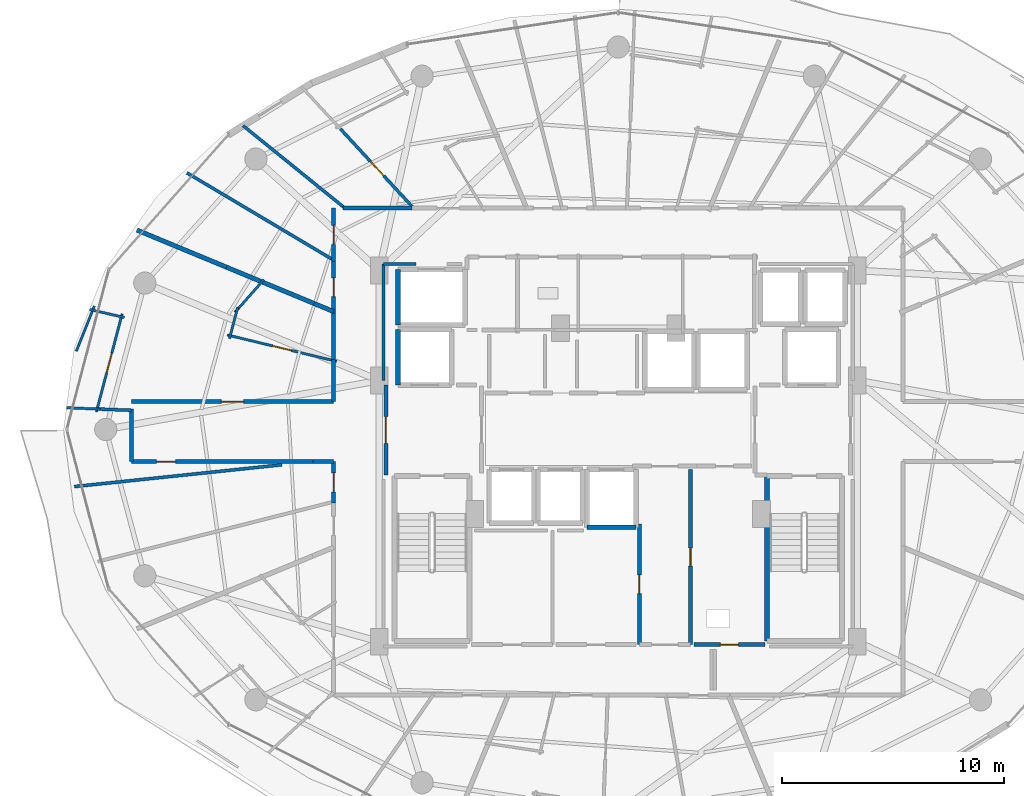
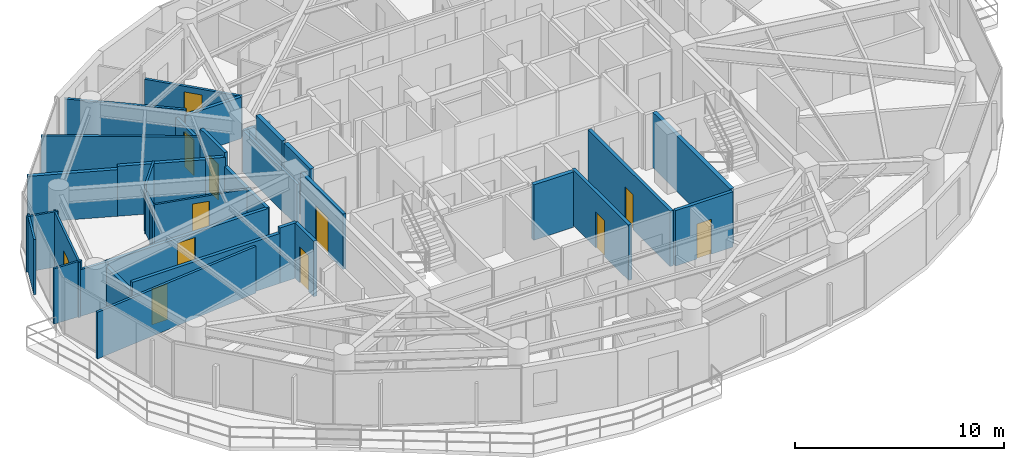
# One storey, part 21 of 28: 35 walls, 12 doors, 12 openings.
"""IFC4 building model written with IfcOpenShell, lengths in metres."""

from ifc_helpers import new_model, si_unit, direction, frame, frame_2d, origin, place, context, subcontext, project, spatial, rectangle, extrude, material, layer, layer_set, type_object, element, fill, save


model = new_model("IFC4")

# Units and contexts
model_context = context("Model", 3, precision=1e-05, world=origin(), true_north=direction((0.0, 1.0)))
body_context = subcontext(model_context, "Body", "Model", "MODEL_VIEW")
ifc_project = project(units=[si_unit("LENGTHUNIT", "METRE"), si_unit("AREAUNIT", "SQUARE_METRE"), si_unit("VOLUMEUNIT", "CUBIC_METRE"), si_unit("PLANEANGLEUNIT", "RADIAN"), si_unit("MASSUNIT", "GRAM", prefix="KILO")], contexts=[model_context])

# Site, building, storey
site_placement = place(None, origin())
site = spatial("IfcSite", under=ifc_project, at=site_placement, CompositionType="ELEMENT")
building_placement = place(site_placement, origin())
building = spatial("IfcBuilding", under=site, at=building_placement, Name="Vorneva Point Tower", CompositionType="ELEMENT")
storey_placement = place(building_placement, frame((0.0, 0.0, 143.10009765625)))
storey = spatial("IfcBuildingStorey", under=building, at=storey_placement, Name="L38", CompositionType="ELEMENT", Elevation=143.10009765625)

# Wall
ifc_material_1 = material(Name="Concrete B60 (C50/60)", Category="concrete")
ifc_layer_1 = layer(ifc_material_1, 0.5)
ifc_layer_set_1 = layer_set([ifc_layer_1], Name="Concrete B60 (C50/60)")
wall_type_1 = type_object("IfcWallType", Name="WL-CORE-500", PredefinedType="SHEAR", material=ifc_layer_set_1)
wall_1_placement = place(storey_placement, frame((28.10009765625, 30.5, 0.0), z_axis=(0.0, 0.0, 1.0), x_axis=(0.0, -1.0, 0.0)))
element("IfcWall", 1, at=wall_1_placement, inside=storey, type_object=wall_type_1, Name="L38 Lift FFL1 Shaft Wall -X", PredefinedType="SHEAR", context=body_context, shape_type="SweptSolid", body=[
    extrude(rectangle(XDim=2.5, YDim=0.219970703125, at=frame_2d((1.25, 0.0))), origin(), (0.0, 0.0, 1.0), 3.239990234375),
])

# Wall, opening, door
ifc_material_2 = material(Name="Fire-rated acoustic gypsum stud partition", Category="gypsum")
ifc_layer_2 = layer(ifc_material_2, 0.110107421875)
ifc_layer_set_2 = layer_set([ifc_layer_2], Name="Fire-rated acoustic gypsum stud partition")
wall_type_2 = type_object("IfcWallType", Name="WL-PART-110", PredefinedType="PARTITIONING", material=ifc_layer_set_2)
wall_2_placement = place(storey_placement, frame((25.336181640625, 29.06103515625, 0.0), z_axis=(0.0, 0.0, 1.0), x_axis=(-0.972001766098, 0.234973544686, 0.0)))
wall_2 = element("IfcWall", 2, at=wall_2_placement, inside=storey, type_object=wall_type_2, Name="L38 Interior Partition 104", PredefinedType="PARTITIONING", context=body_context, shape_type="SweptSolid", body=[
    extrude(rectangle(XDim=5.064208984375, YDim=0.110107421875, at=frame_2d((2.5322265625, 0.0))), origin(), (0.0, 0.0, 1.0), 2.431884765625),
])
opening_1_placement = place(wall_2_placement, frame((2.10693359375, 0.0, 0.0)))
opening_1 = element("IfcOpeningElement", 3, at=opening_1_placement, cuts=wall_2, Name="Opening ID-02", PredefinedType="OPENING", context=body_context, shape_type="SweptSolid", body=[
    extrude(rectangle(XDim=0.85009765625, YDim=2.10009765625, at=frame_2d((0.425048828125, 1.050048828125))), frame((0.0, 0.06982421875, 0.0), z_axis=(0.0, -1.0, 0.0), x_axis=(1.0, 0.0, 0.0)), (0.0, 0.0, 1.0), 0.139892578125),
])
ifc_material_3 = material(Name="Engineered oak fire-rated door leaf", Category="wood")
door_type_1 = type_object("IfcDoorType", Name="DR-BATH-850", OperationType="NOTDEFINED", PredefinedType="DOOR", material=ifc_material_3)
door_1_placement = place(opening_1_placement, origin())
door_1 = element("IfcDoor", 4, at=door_1_placement, inside=storey, type_object=door_type_1, Name="L38 Door Living and Dining Room L38-04 / Bathroom L38-04", OperationType="SINGLE_SWING_LEFT", OverallHeight=2.10009765625, OverallWidth=0.85009765625, PredefinedType="DOOR", context=body_context, shape_type="SweptSolid", body=[
    extrude(rectangle(XDim=0.85009765625, YDim=2.10009765625, at=frame_2d((0.425048828125, 1.050048828125))), frame((0.0, 0.02490234375, 0.0), z_axis=(0.0, -1.0, 0.0), x_axis=(1.0, 0.0, 0.0)), (0.0, 0.0, 1.0), 0.050048828125),
])
fill(opening_1, door_1)

# Walls
wall_3_placement = place(storey_placement, frame((20.514404296875, 30.08251953125, 0.0), z_axis=(0.0, 0.0, 1.0), x_axis=(0.254223916145, 0.967145387447, 0.0)))
element("IfcWall", 5, at=wall_3_placement, inside=storey, type_object=wall_type_2, Name="L38 Interior Partition 105", PredefinedType="PARTITIONING", context=body_context, shape_type="SweptSolid", body=[
    extrude(rectangle(XDim=1.47216796875, YDim=0.110107421875, at=frame_2d((0.736083984375, 0.0))), origin(), (0.0, 0.0, 1.0), 2.431884765625),
])
wall_4_placement = place(storey_placement, frame((20.76025390625, 31.26611328125, 0.0), z_axis=(0.0, 0.0, 1.0), x_axis=(0.662014950831, 0.749490630279, 0.0)))
element("IfcWall", 6, at=wall_4_placement, inside=storey, type_object=wall_type_2, Name="L38 Interior Partition 106", PredefinedType="PARTITIONING", context=body_context, shape_type="SweptSolid", body=[
    extrude(rectangle(XDim=1.970458984375, YDim=0.110107421875, at=frame_2d((0.9853515625, 0.0))), origin(), (0.0, 0.0, 1.0), 2.921875),
])
wall_5_placement = place(storey_placement, frame((14.2255859375, 31.39306640625, 0.0), z_axis=(0.0, 0.0, 1.0), x_axis=(0.975195623383, -0.221344744989, 0.0)))
element("IfcWall", 7, at=wall_5_placement, inside=storey, type_object=wall_type_2, Name="L38 Interior Partition 107", PredefinedType="PARTITIONING", context=body_context, shape_type="SweptSolid", body=[
    extrude(rectangle(XDim=1.603759765625, YDim=0.110107421875, at=frame_2d((0.8017578125, 0.0))), origin(), (0.0, 0.0, 1.0), 3.239990234375),
])

# Wall, opening, door
wall_6_placement = place(storey_placement, frame((15.688720703125, 31.204345703125, 0.0), z_axis=(0.0, 0.0, 1.0), x_axis=(-0.254346037576, -0.967113278354, 0.0)))
wall_6 = element("IfcWall", 8, at=wall_6_placement, inside=storey, type_object=wall_type_2, Name="L38 Interior Partition 108", PredefinedType="PARTITIONING", context=body_context, shape_type="SweptSolid", body=[
    extrude(rectangle(XDim=4.570068359375, YDim=0.110107421875, at=frame_2d((2.28515625, 0.0))), origin(), (0.0, 0.0, 1.0), 3.239990234375),
])
opening_2_placement = place(wall_6_placement, frame((1.8349609375, 0.0, 0.0)))
opening_2 = element("IfcOpeningElement", 9, at=opening_2_placement, cuts=wall_6, Name="Opening ID-01", PredefinedType="OPENING", context=body_context, shape_type="SweptSolid", body=[
    extrude(rectangle(XDim=0.89990234375, YDim=2.10009765625, at=frame_2d((0.449951171875, 1.050048828125))), frame((0.0, 0.06982421875, 0.0), z_axis=(0.0, -1.0, 0.0), x_axis=(1.0, 0.0, 0.0)), (0.0, 0.0, 1.0), 0.139892578125),
])
door_type_2 = type_object("IfcDoorType", Name="DR-ROOM-900", OperationType="NOTDEFINED", PredefinedType="DOOR", material=ifc_material_3)
door_2_placement = place(opening_2_placement, origin())
door_2 = element("IfcDoor", 10, at=door_2_placement, inside=storey, type_object=door_type_2, Name="L38 Door Living and Dining Room L38-04 / Kitchen L38-04", OperationType="SINGLE_SWING_RIGHT", OverallHeight=2.10009765625, OverallWidth=0.89990234375, PredefinedType="DOOR", context=body_context, shape_type="SweptSolid", body=[
    extrude(rectangle(XDim=0.89990234375, YDim=2.10009765625, at=frame_2d((0.449951171875, 1.050048828125))), frame((0.0, 0.02490234375, 0.0), z_axis=(0.0, -1.0, 0.0), x_axis=(1.0, 0.0, 0.0)), (0.0, 0.0, 1.0), 0.050048828125),
])
fill(opening_2, door_2)

# Walls
wall_7_placement = place(storey_placement, frame((14.43603515625, 31.548095703125, 0.0), z_axis=(0.0, 0.0, 1.0), x_axis=(-0.371544752876, -0.928415045446, 0.0)))
element("IfcWall", 11, at=wall_7_placement, inside=storey, type_object=wall_type_2, Name="L38 Interior Partition 109", PredefinedType="PARTITIONING", context=body_context, shape_type="SweptSolid", body=[
    extrude(rectangle(XDim=2.185546875, YDim=0.110107421875, at=frame_2d((1.0927734375, 0.0))), origin(), (0.0, 0.0, 1.0), 3.239990234375),
])
wall_8_placement = place(storey_placement, frame((13.18701171875, 26.974609375, 0.0), z_axis=(0.0, 0.0, 1.0), x_axis=(0.999208657324, -0.039775106907, 0.0)))
element("IfcWall", 12, at=wall_8_placement, inside=storey, type_object=wall_type_2, Name="L38 Interior Partition 111", PredefinedType="PARTITIONING", context=body_context, shape_type="SweptSolid", body=[
    extrude(rectangle(XDim=1.51611328125, YDim=0.110107421875, at=frame_2d((0.758056640625, 0.0))), origin(), (0.0, 0.0, 1.0), 3.239990234375),
])

# Wall, opening, door
ifc_layer_3 = layer(ifc_material_2, 0.139892578125)
ifc_layer_set_3 = layer_set([ifc_layer_3], Name="Fire-rated acoustic gypsum stud partition")
wall_type_3 = type_object("IfcWallType", Name="WL-PART-140", PredefinedType="PARTITIONING", material=ifc_layer_set_3)
wall_9_placement = place(storey_placement, frame((25.5048828125, 39.51708984375, 0.0), z_axis=(0.0, 0.0, 1.0), x_axis=(0.678766339668, -0.734354312395, 0.0)))
wall_9 = element("IfcWall", 13, at=wall_9_placement, inside=storey, type_object=wall_type_3, Name="L38 Interior Partition 098", PredefinedType="PARTITIONING", context=body_context, shape_type="SweptSolid", body=[
    extrude(rectangle(XDim=4.857421875, YDim=0.139892578125, at=frame_2d((2.4287109375, 0.0))), origin(), (0.0, 0.0, 1.0), 2.431884765625),
])
opening_3_placement = place(wall_9_placement, frame((1.978759765625, 0.0, 0.0)))
opening_3 = element("IfcOpeningElement", 14, at=opening_3_placement, cuts=wall_9, Name="Opening ID-01", PredefinedType="OPENING", context=body_context, shape_type="SweptSolid", body=[
    extrude(rectangle(XDim=0.89990234375, YDim=2.10009765625, at=frame_2d((0.449951171875, 1.050048828125))), frame((0.0, 0.0849609375, 0.0), z_axis=(0.0, -1.0, 0.0), x_axis=(1.0, 0.0, 0.0)), (0.0, 0.0, 1.0), 0.169677734375),
])
door_3_placement = place(opening_3_placement, origin())
door_3 = element("IfcDoor", 15, at=door_3_placement, inside=storey, type_object=door_type_2, Name="L38 Door Living and Dining Room L38-03 / Master Bedroom L38-03.1", OperationType="SINGLE_SWING_RIGHT", OverallHeight=2.10009765625, OverallWidth=0.89990234375, PredefinedType="DOOR", context=body_context, shape_type="SweptSolid", body=[
    extrude(rectangle(XDim=0.89990234375, YDim=2.10009765625, at=frame_2d((0.449951171875, 1.050048828125))), frame((0.0, 0.02490234375, 0.0), z_axis=(0.0, -1.0, 0.0), x_axis=(1.0, 0.0, 0.0)), (0.0, 0.0, 1.0), 0.050048828125),
])
fill(opening_3, door_3)

# Walls
wall_10_placement = place(storey_placement, frame((21.1259765625, 39.6650390625, 0.0), z_axis=(0.0, 0.0, 1.0), x_axis=(0.777089771819, -0.629389773141, 0.0)))
element("IfcWall", 16, at=wall_10_placement, inside=storey, type_object=wall_type_3, Name="L38 Interior Partition 099", PredefinedType="PARTITIONING", context=body_context, shape_type="SweptSolid", body=[
    extrude(rectangle(XDim=5.902587890625, YDim=0.139892578125, at=frame_2d((2.951171875, 0.0))), origin(), (0.0, 0.0, 1.0), 2.727783203125),
])
wall_11_placement = place(storey_placement, frame((18.60302734375, 37.5400390625, 0.0), z_axis=(0.0, 0.0, 1.0), x_axis=(0.859389720334, -0.511321140365, 0.0)))
element("IfcWall", 17, at=wall_11_placement, inside=storey, type_object=wall_type_3, Name="L38 Interior Partition 100", PredefinedType="PARTITIONING", context=body_context, shape_type="SweptSolid", body=[
    extrude(rectangle(XDim=7.67626953125, YDim=0.139892578125, at=frame_2d((3.838134765625, 0.0))), origin(), (0.0, 0.0, 1.0), 2.727783203125),
])
wall_12_placement = place(storey_placement, frame((14.56201171875, 26.919921875, 0.0), z_axis=(0.0, 0.0, 1.0), x_axis=(0.999244683777, -0.03885951548, 0.0)))
element("IfcWall", 18, at=wall_12_placement, inside=storey, type_object=wall_type_3, Name="L38 Interior Partition 110", PredefinedType="PARTITIONING", context=body_context, shape_type="SweptSolid", body=[
    extrude(rectangle(XDim=1.539306640625, YDim=0.139892578125, at=frame_2d((0.76953125, 0.0))), origin(), (0.0, 0.0, 1.0), 2.727783203125),
])
wall_13_placement = place(storey_placement, frame((13.535888671875, 23.428955078125, 0.0), z_axis=(0.0, 0.0, 1.0), x_axis=(0.994524817277, 0.104500659427, 0.0)))
element("IfcWall", 19, at=wall_13_placement, inside=storey, type_object=wall_type_3, Name="L38 Interior Partition 112", PredefinedType="PARTITIONING", context=body_context, shape_type="SweptSolid", body=[
    extrude(rectangle(XDim=9.38720703125, YDim=0.139892578125, at=frame_2d((4.693603515625, 0.0))), origin(), (0.0, 0.0, 1.0), 2.727783203125),
])
wall_14_placement = place(storey_placement, frame((28.89404296875, 33.449951171875, 0.0), z_axis=(0.0, 0.0, 1.0), x_axis=(-1.0, 0.0, 0.0)))
element("IfcWall", 20, at=wall_14_placement, inside=storey, type_object=wall_type_3, Name="L38 Interior Closure Partition 150", PredefinedType="PARTITIONING", context=body_context, shape_type="SweptSolid", body=[
    extrude(rectangle(XDim=1.444091796875, YDim=0.139892578125, at=frame_2d((0.72216796875, 0.0))), origin(), (0.0, 0.0, 1.0), 2.431884765625),
])
wall_15_placement = place(storey_placement, frame((27.449951171875, 33.449951171875, 0.0), z_axis=(0.0, 0.0, 1.0), x_axis=(0.0, -1.0, 0.0)))
element("IfcWall", 21, at=wall_15_placement, inside=storey, type_object=wall_type_3, Name="L38 Interior Closure Partition 151", PredefinedType="PARTITIONING", context=body_context, shape_type="SweptSolid", body=[
    extrude(rectangle(XDim=5.25390625, YDim=0.139892578125, at=frame_2d((2.626953125, 0.0))), origin(), (0.0, 0.0, 1.0), 2.431884765625),
])

# Wall, opening, door
ifc_material_4 = material(Name="Autoclaved aerated concrete blockwork", Category="masonry")
ifc_layer_4 = layer(ifc_material_4, 0.179931640625)
ifc_layer_set_4 = layer_set([ifc_layer_4], Name="Autoclaved aerated concrete blockwork")
wall_type_4 = type_object("IfcWallType", Name="WL-PART-180", PredefinedType="PARTITIONING", material=ifc_layer_set_4)
wall_16_placement = place(storey_placement, frame((27.550048828125, 28.0, 0.0), z_axis=(0.0, 0.0, 1.0), x_axis=(0.0, -1.0, 0.0)))
wall_16 = element("IfcWall", 22, at=wall_16_placement, inside=storey, type_object=wall_type_4, Name="L38 Interior Partition 002", PredefinedType="PARTITIONING", context=body_context, shape_type="SweptSolid", body=[
    extrude(rectangle(XDim=4.050048828125, YDim=0.179931640625, at=frame_2d((2.02490234375, 0.0))), origin(), (0.0, 0.0, 1.0), 3.239990234375),
])
opening_4_placement = place(wall_16_placement, frame((1.425048828125, 0.0, 0.0)))
opening_4 = element("IfcOpeningElement", 23, at=opening_4_placement, cuts=wall_16, Name="Opening FD-02", PredefinedType="OPENING", context=body_context, shape_type="SweptSolid", body=[
    extrude(rectangle(XDim=1.199951171875, YDim=2.14990234375, at=frame_2d((0.60009765625, 1.074951171875))), frame((0.0, 0.10498046875, 0.0), z_axis=(0.0, -1.0, 0.0), x_axis=(1.0, 0.0, 0.0)), (0.0, 0.0, 1.0), 0.209716796875),
])
ifc_material_5 = material(Name="Fire-rated powder-coated steel", Category="steel")
door_type_3 = type_object("IfcDoorType", Name="DR-FFL-1200", OperationType="NOTDEFINED", PredefinedType="DOOR", material=ifc_material_5)
door_4_placement = place(opening_4_placement, origin())
door_4 = element("IfcDoor", 24, at=door_4_placement, inside=storey, type_object=door_type_3, Name="L38 Door West Firefighting Lobby / L38 Circulation Corridor", OperationType="SINGLE_SWING_RIGHT", OverallHeight=2.14990234375, OverallWidth=1.199951171875, PredefinedType="DOOR", context=body_context, shape_type="SweptSolid", body=[
    extrude(rectangle(XDim=1.199951171875, YDim=2.14990234375, at=frame_2d((0.60009765625, 1.074951171875))), frame((0.0, 0.02490234375, 0.0), z_axis=(0.0, -1.0, 0.0), x_axis=(1.0, 0.0, 0.0)), (0.0, 0.0, 1.0), 0.050048828125),
])
fill(opening_4, door_4)

wall_17_placement = place(storey_placement, frame((41.25, 16.320068359375, 0.0), z_axis=(0.0, 0.0, 1.0), x_axis=(0.0, 1.0, 0.0)))
wall_17 = element("IfcWall", 25, at=wall_17_placement, inside=storey, type_object=wall_type_4, Name="L38 Interior Partition 014", PredefinedType="PARTITIONING", context=body_context, shape_type="SweptSolid", body=[
    extrude(rectangle(XDim=7.8798828125, YDim=0.179931640625, at=frame_2d((3.93994140625, 0.0))), origin(), (0.0, 0.0, 1.0), 3.239990234375),
])
opening_5_placement = place(wall_17_placement, frame((3.5400390625, 0.0, 0.0)))
opening_5 = element("IfcOpeningElement", 26, at=opening_5_placement, cuts=wall_17, Name="Opening RD-01", PredefinedType="OPENING", context=body_context, shape_type="SweptSolid", body=[
    extrude(rectangle(XDim=0.800048828125, YDim=2.050048828125, at=frame_2d((0.39990234375, 1.02490234375))), frame((0.0, 0.10498046875, 0.0), z_axis=(0.0, -1.0, 0.0), x_axis=(1.0, 0.0, 0.0)), (0.0, 0.0, 1.0), 0.209716796875),
])
door_type_4 = type_object("IfcDoorType", Name="DR-RSR-800", OperationType="SINGLE_SWING_LEFT", PredefinedType="DOOR", material=ifc_material_5)
door_5_placement = place(opening_5_placement, origin())
door_5 = element("IfcDoor", 27, at=door_5_placement, inside=storey, type_object=door_type_4, Name="L38 Door Core Service Lobby / Electrical Riser", OperationType="SINGLE_SWING_LEFT", OverallHeight=2.050048828125, OverallWidth=0.800048828125, PredefinedType="DOOR", context=body_context, shape_type="SweptSolid", body=[
    extrude(rectangle(XDim=0.800048828125, YDim=2.050048828125, at=frame_2d((0.39990234375, 1.02490234375))), frame((0.0, 0.02490234375, 0.0), z_axis=(0.0, -1.0, 0.0), x_axis=(1.0, 0.0, 0.0)), (0.0, 0.0, 1.0), 0.050048828125),
])
fill(opening_5, door_5)

wall_18_placement = place(storey_placement, frame((38.949951171875, 21.7548828125, 0.0), z_axis=(0.0, 0.0, 1.0), x_axis=(0.0, -1.0, 0.0)))
wall_18 = element("IfcWall", 28, at=wall_18_placement, inside=storey, type_object=wall_type_4, Name="L38 Interior Partition 015", PredefinedType="PARTITIONING", context=body_context, shape_type="SweptSolid", body=[
    extrude(rectangle(XDim=5.434814453125, YDim=0.179931640625, at=frame_2d((2.71728515625, 0.0))), origin(), (0.0, 0.0, 1.0), 3.239990234375),
])
opening_6_placement = place(wall_18_placement, frame((2.29248046875, 0.0, 0.0)))
opening_6 = element("IfcOpeningElement", 29, at=opening_6_placement, cuts=wall_18, Name="Opening ID-02", PredefinedType="OPENING", context=body_context, shape_type="SweptSolid", body=[
    extrude(rectangle(XDim=0.85009765625, YDim=2.10009765625, at=frame_2d((0.425048828125, 1.050048828125))), frame((0.0, 0.10498046875, 0.0), z_axis=(0.0, -1.0, 0.0), x_axis=(1.0, 0.0, 0.0)), (0.0, 0.0, 1.0), 0.209716796875),
])
door_6_placement = place(opening_6_placement, origin())
door_6 = element("IfcDoor", 30, at=door_6_placement, inside=storey, type_object=door_type_1, Name="L38 Door Core Service Lobby / Tenant Equipment Store", OperationType="SINGLE_SWING_RIGHT", OverallHeight=2.10009765625, OverallWidth=0.85009765625, PredefinedType="DOOR", context=body_context, shape_type="SweptSolid", body=[
    extrude(rectangle(XDim=0.85009765625, YDim=2.10009765625, at=frame_2d((0.425048828125, 1.050048828125))), frame((0.0, 0.02490234375, 0.0), z_axis=(0.0, -1.0, 0.0), x_axis=(1.0, 0.0, 0.0)), (0.0, 0.0, 1.0), 0.050048828125),
])
fill(opening_6, door_6)

wall_19_placement = place(storey_placement, frame((41.39990234375, 16.320068359375, 0.0), z_axis=(0.0, 0.0, 1.0), x_axis=(1.0, 0.0, 0.0)))
wall_19 = element("IfcWall", 31, at=wall_19_placement, inside=storey, type_object=wall_type_4, Name="L38 Interior Partition 017", PredefinedType="PARTITIONING", context=body_context, shape_type="SweptSolid", body=[
    extrude(rectangle(XDim=3.2001953125, YDim=0.179931640625, at=frame_2d((1.60009765625, 0.0))), origin(), (0.0, 0.0, 1.0), 3.239990234375),
])
opening_7_placement = place(wall_19_placement, frame((1.199951171875, 0.0, 0.0)))
opening_7 = element("IfcOpeningElement", 32, at=opening_7_placement, cuts=wall_19, Name="Opening RD-01", PredefinedType="OPENING", context=body_context, shape_type="SweptSolid", body=[
    extrude(rectangle(XDim=0.800048828125, YDim=2.050048828125, at=frame_2d((0.39990234375, 1.02490234375))), frame((0.0, 0.10498046875, 0.0), z_axis=(0.0, -1.0, 0.0), x_axis=(1.0, 0.0, 0.0)), (0.0, 0.0, 1.0), 0.209716796875),
])
door_7_placement = place(opening_7_placement, origin())
door_7 = element("IfcDoor", 33, at=door_7_placement, inside=storey, type_object=door_type_4, Name="L38 Door Electrical Riser / L38 Circulation Corridor", OperationType="SINGLE_SWING_RIGHT", OverallHeight=2.050048828125, OverallWidth=0.800048828125, PredefinedType="DOOR", context=body_context, shape_type="SweptSolid", body=[
    extrude(rectangle(XDim=0.800048828125, YDim=2.050048828125, at=frame_2d((0.39990234375, 1.02490234375))), frame((0.0, 0.02490234375, 0.0), z_axis=(0.0, -1.0, 0.0), x_axis=(1.0, 0.0, 0.0)), (0.0, 0.0, 1.0), 0.050048828125),
])
fill(opening_7, door_7)

# Wall
wall_20_placement = place(storey_placement, frame((28.719970703125, 35.949951171875, 0.0), z_axis=(0.0, 0.0, 1.0), x_axis=(-1.0, 0.0, 0.0)))
element("IfcWall", 34, at=wall_20_placement, inside=storey, type_object=wall_type_4, Name="L38 Interior Partition 042", PredefinedType="PARTITIONING", context=body_context, shape_type="SweptSolid", body=[
    extrude(rectangle(XDim=3.10205078125, YDim=0.179931640625, at=frame_2d((1.551025390625, 0.0))), origin(), (0.0, 0.0, 1.0), 2.431884765625),
])

# Wall, opening, door
wall_21_placement = place(storey_placement, frame((25.199951171875, 35.949951171875, 0.0), z_axis=(0.0, 0.0, 1.0), x_axis=(0.0, -1.0, 0.0)))
wall_21 = element("IfcWall", 35, at=wall_21_placement, inside=storey, type_object=wall_type_4, Name="L38 Interior Partition 043", PredefinedType="PARTITIONING", context=body_context, shape_type="SweptSolid", body=[
    extrude(rectangle(XDim=2.39501953125, YDim=0.179931640625, at=frame_2d((1.197509765625, 0.0))), origin(), (0.0, 0.0, 1.0), 2.431884765625),
])
opening_8_placement = place(wall_21_placement, frame((0.7724609375, 0.0, 0.0)))
opening_8 = element("IfcOpeningElement", 36, at=opening_8_placement, cuts=wall_21, Name="Opening ID-02", PredefinedType="OPENING", context=body_context, shape_type="SweptSolid", body=[
    extrude(rectangle(XDim=0.85009765625, YDim=2.10009765625, at=frame_2d((0.425048828125, 1.050048828125))), frame((0.0, 0.10498046875, 0.0), z_axis=(0.0, -1.0, 0.0), x_axis=(1.0, 0.0, 0.0)), (0.0, 0.0, 1.0), 0.209716796875),
])
door_8_placement = place(opening_8_placement, origin())
door_8 = element("IfcDoor", 37, at=door_8_placement, inside=storey, type_object=door_type_1, Name="L38 Access Door L38 Circulation Corridor", OperationType="SINGLE_SWING_RIGHT", OverallHeight=2.10009765625, OverallWidth=0.85009765625, PredefinedType="DOOR", context=body_context, shape_type="SweptSolid", body=[
    extrude(rectangle(XDim=0.85009765625, YDim=2.10009765625, at=frame_2d((0.425048828125, 1.050048828125))), frame((0.0, 0.02490234375, 0.0), z_axis=(0.0, -1.0, 0.0), x_axis=(1.0, 0.0, 0.0)), (0.0, 0.0, 1.0), 0.050048828125),
])
fill(opening_8, door_8)

wall_22_placement = place(storey_placement, frame((25.199951171875, 33.554931640625, 0.0), z_axis=(0.0, 0.0, 1.0), x_axis=(0.0, -1.0, 0.0)))
wall_22 = element("IfcWall", 38, at=wall_22_placement, inside=storey, type_object=wall_type_4, Name="L38 Interior Partition 044", PredefinedType="PARTITIONING", context=body_context, shape_type="SweptSolid", body=[
    extrude(rectangle(XDim=2.31298828125, YDim=0.179931640625, at=frame_2d((1.156494140625, 0.0))), origin(), (0.0, 0.0, 1.0), 3.239990234375),
])
opening_9_placement = place(wall_22_placement, frame((0.7314453125, 0.0, 0.0)))
opening_9 = element("IfcOpeningElement", 39, at=opening_9_placement, cuts=wall_22, Name="Opening ID-02", PredefinedType="OPENING", context=body_context, shape_type="SweptSolid", body=[
    extrude(rectangle(XDim=0.85009765625, YDim=2.10009765625, at=frame_2d((0.425048828125, 1.050048828125))), frame((0.0, 0.10498046875, 0.0), z_axis=(0.0, -1.0, 0.0), x_axis=(1.0, 0.0, 0.0)), (0.0, 0.0, 1.0), 0.209716796875),
])
door_9_placement = place(opening_9_placement, origin())
door_9 = element("IfcDoor", 40, at=door_9_placement, inside=storey, type_object=door_type_1, Name="L38 Access Door L38 Circulation Corridor", OperationType="SINGLE_SWING_LEFT", OverallHeight=2.10009765625, OverallWidth=0.85009765625, PredefinedType="DOOR", context=body_context, shape_type="SweptSolid", body=[
    extrude(rectangle(XDim=0.85009765625, YDim=2.10009765625, at=frame_2d((0.425048828125, 1.050048828125))), frame((0.0, 0.02490234375, 0.0), z_axis=(0.0, -1.0, 0.0), x_axis=(1.0, 0.0, 0.0)), (0.0, 0.0, 1.0), 0.050048828125),
])
fill(opening_9, door_9)

# Wall
wall_23_placement = place(storey_placement, frame((25.199951171875, 29.156005859375, 0.0), z_axis=(0.0, 0.0, 1.0), x_axis=(0.0, -1.0, 0.0)))
element("IfcWall", 41, at=wall_23_placement, inside=storey, type_object=wall_type_4, Name="L38 Interior Partition 045", PredefinedType="PARTITIONING", context=body_context, shape_type="SweptSolid", body=[
    extrude(rectangle(XDim=1.906005859375, YDim=0.179931640625, at=frame_2d((0.953125, 0.0))), origin(), (0.0, 0.0, 1.0), 2.431884765625),
])

# Wall, opening, door
wall_24_placement = place(storey_placement, frame((25.199951171875, 27.25, 0.0), z_axis=(0.0, 0.0, 1.0), x_axis=(-1.0, 0.0, 0.0)))
wall_24 = element("IfcWall", 42, at=wall_24_placement, inside=storey, type_object=wall_type_4, Name="L38 Interior Partition 046", PredefinedType="PARTITIONING", context=body_context, shape_type="SweptSolid", body=[
    extrude(rectangle(XDim=9.099853515625, YDim=0.179931640625, at=frame_2d((4.5498046875, 0.0))), origin(), (0.0, 0.0, 1.0), 2.431884765625),
])
opening_10_placement = place(wall_24_placement, frame((4.050048828125, 0.0, 0.0)))
opening_10 = element("IfcOpeningElement", 43, at=opening_10_placement, cuts=wall_24, Name="Opening UD-01", PredefinedType="OPENING", context=body_context, shape_type="SweptSolid", body=[
    extrude(rectangle(XDim=1.0, YDim=2.14990234375, at=frame_2d((0.5, 1.074951171875))), frame((0.0, 0.10498046875, 0.0), z_axis=(0.0, -1.0, 0.0), x_axis=(1.0, 0.0, 0.0)), (0.0, 0.0, 1.0), 0.209716796875),
])
door_type_5 = type_object("IfcDoorType", Name="DR-UNIT-1000", OperationType="NOTDEFINED", PredefinedType="DOOR", material=ifc_material_3)
door_10_placement = place(opening_10_placement, origin())
door_10 = element("IfcDoor", 44, at=door_10_placement, inside=storey, type_object=door_type_5, Name="L38 Door L38 Circulation Corridor / Living and Dining Room L38-04", OperationType="SINGLE_SWING_LEFT", OverallHeight=2.14990234375, OverallWidth=1.0, PredefinedType="DOOR", context=body_context, shape_type="SweptSolid", body=[
    extrude(rectangle(XDim=1.0, YDim=2.14990234375, at=frame_2d((0.5, 1.074951171875))), frame((0.0, 0.02490234375, 0.0), z_axis=(0.0, -1.0, 0.0), x_axis=(1.0, 0.0, 0.0)), (0.0, 0.0, 1.0), 0.050048828125),
])
fill(opening_10, door_10)

# Walls
wall_25_placement = place(storey_placement, frame((25.199951171875, 31.382080078125, 0.0), z_axis=(0.0, 0.0, 1.0), x_axis=(0.0, -1.0, 0.0)))
element("IfcWall", 45, at=wall_25_placement, inside=storey, type_object=wall_type_4, Name="L38 Interior Partition 047", PredefinedType="PARTITIONING", context=body_context, shape_type="SweptSolid", body=[
    extrude(rectangle(XDim=2.365966796875, YDim=0.179931640625, at=frame_2d((1.18310546875, 0.0))), origin(), (0.0, 0.0, 1.0), 2.431884765625),
])
wall_26_placement = place(storey_placement, frame((16.10009765625, 26.919921875, 0.0), z_axis=(0.0, 0.0, 1.0), x_axis=(0.0, -1.0, 0.0)))
element("IfcWall", 46, at=wall_26_placement, inside=storey, type_object=wall_type_4, Name="L38 Interior Partition 048", PredefinedType="PARTITIONING", context=body_context, shape_type="SweptSolid", body=[
    extrude(rectangle(XDim=2.369873046875, YDim=0.179931640625, at=frame_2d((1.18505859375, 0.0))), origin(), (0.0, 0.0, 1.0), 2.431884765625),
])

# Wall, opening, door
wall_27_placement = place(storey_placement, frame((16.10009765625, 24.550048828125, 0.0), z_axis=(0.0, 0.0, 1.0), x_axis=(1.0, 0.0, 0.0)))
wall_27 = element("IfcWall", 47, at=wall_27_placement, inside=storey, type_object=wall_type_4, Name="L38 Interior Partition 049", PredefinedType="PARTITIONING", context=body_context, shape_type="SweptSolid", body=[
    extrude(rectangle(XDim=8.163818359375, YDim=0.179931640625, at=frame_2d((4.08203125, 0.0))), origin(), (0.0, 0.0, 1.0), 2.921875),
])
opening_11_placement = place(wall_27_placement, frame((1.136962890625, 0.0, 0.0)))
opening_11 = element("IfcOpeningElement", 48, at=opening_11_placement, cuts=wall_27, Name="Opening ID-02", PredefinedType="OPENING", context=body_context, shape_type="SweptSolid", body=[
    extrude(rectangle(XDim=0.85009765625, YDim=2.10009765625, at=frame_2d((0.425048828125, 1.050048828125))), frame((0.0, 0.10498046875, 0.0), z_axis=(0.0, -1.0, 0.0), x_axis=(1.0, 0.0, 0.0)), (0.0, 0.0, 1.0), 0.209716796875),
])
door_11_placement = place(opening_11_placement, origin())
door_11 = element("IfcDoor", 49, at=door_11_placement, inside=storey, type_object=door_type_1, Name="L38 Access Door L38 Circulation Corridor", OperationType="SINGLE_SWING_RIGHT", OverallHeight=2.10009765625, OverallWidth=0.85009765625, PredefinedType="DOOR", context=body_context, shape_type="SweptSolid", body=[
    extrude(rectangle(XDim=0.85009765625, YDim=2.10009765625, at=frame_2d((0.425048828125, 1.050048828125))), frame((0.0, 0.02490234375, 0.0), z_axis=(0.0, -1.0, 0.0), x_axis=(1.0, 0.0, 0.0)), (0.0, 0.0, 1.0), 0.050048828125),
])
fill(opening_11, door_11)

# Wall
wall_28_placement = place(storey_placement, frame((24.263916015625, 24.550048828125, 0.0), z_axis=(0.0, 0.0, 1.0), x_axis=(1.0, 0.0, 0.0)))
element("IfcWall", 50, at=wall_28_placement, inside=storey, type_object=wall_type_4, Name="L38 Interior Partition 050", PredefinedType="PARTITIONING", context=body_context, shape_type="SweptSolid", body=[
    extrude(rectangle(XDim=0.93603515625, YDim=0.179931640625, at=frame_2d((0.468017578125, 0.0))), origin(), (0.0, 0.0, 1.0), 3.239990234375),
])

# Wall, opening, door
wall_29_placement = place(storey_placement, frame((25.199951171875, 24.550048828125, 0.0), z_axis=(0.0, 0.0, 1.0), x_axis=(0.0, -1.0, 0.0)))
wall_29 = element("IfcWall", 51, at=wall_29_placement, inside=storey, type_object=wall_type_4, Name="L38 Interior Partition 051", PredefinedType="PARTITIONING", context=body_context, shape_type="SweptSolid", body=[
    extrude(rectangle(XDim=1.863037109375, YDim=0.179931640625, at=frame_2d((0.931640625, 0.0))), origin(), (0.0, 0.0, 1.0), 3.239990234375),
])
opening_12_placement = place(wall_29_placement, frame((0.506591796875, 0.0, 0.0)))
opening_12 = element("IfcOpeningElement", 52, at=opening_12_placement, cuts=wall_29, Name="Opening ID-02", PredefinedType="OPENING", context=body_context, shape_type="SweptSolid", body=[
    extrude(rectangle(XDim=0.85009765625, YDim=2.10009765625, at=frame_2d((0.425048828125, 1.050048828125))), frame((0.0, 0.10498046875, 0.0), z_axis=(0.0, -1.0, 0.0), x_axis=(1.0, 0.0, 0.0)), (0.0, 0.0, 1.0), 0.209716796875),
])
door_12_placement = place(opening_12_placement, origin())
door_12 = element("IfcDoor", 53, at=door_12_placement, inside=storey, type_object=door_type_1, Name="L38 Access Door L38 Circulation Corridor", OperationType="SINGLE_SWING_LEFT", OverallHeight=2.10009765625, OverallWidth=0.85009765625, PredefinedType="DOOR", context=body_context, shape_type="SweptSolid", body=[
    extrude(rectangle(XDim=0.85009765625, YDim=2.10009765625, at=frame_2d((0.425048828125, 1.050048828125))), frame((0.0, 0.02490234375, 0.0), z_axis=(0.0, -1.0, 0.0), x_axis=(1.0, 0.0, 0.0)), (0.0, 0.0, 1.0), 0.050048828125),
])
fill(opening_12, door_12)

# Walls
ifc_layer_5 = layer(ifc_material_4, 0.199951171875)
ifc_layer_set_5 = layer_set([ifc_layer_5], Name="Autoclaved aerated concrete blockwork")
wall_type_5 = type_object("IfcWallType", Name="WL-PART-200", PredefinedType="PARTITIONING", material=ifc_layer_set_5)
wall_30_placement = place(storey_placement, frame((16.35498046875, 34.966064453125, 0.0), z_axis=(0.0, 0.0, 1.0), x_axis=(0.923874659351, -0.382695197002, 0.0)))
element("IfcWall", 54, at=wall_30_placement, inside=storey, type_object=wall_type_5, Name="L38 Interior Partition 101", PredefinedType="PARTITIONING", context=body_context, shape_type="SweptSolid", body=[
    extrude(rectangle(XDim=4.353271484375, YDim=0.199951171875, at=frame_2d((2.1767578125, 0.0))), origin(), (0.0, 0.0, 1.0), 2.727783203125),
])
wall_31_placement = place(storey_placement, frame((20.376953125, 33.300048828125, 0.0), z_axis=(0.0, 0.0, 1.0), x_axis=(0.923801529802, -0.382871693306, 0.0)))
element("IfcWall", 55, at=wall_31_placement, inside=storey, type_object=wall_type_5, Name="L38 Interior Partition 102", PredefinedType="PARTITIONING", context=body_context, shape_type="SweptSolid", body=[
    extrude(rectangle(XDim=4.39599609375, YDim=0.199951171875, at=frame_2d((2.197998046875, 0.0))), origin(), (0.0, 0.0, 1.0), 2.921875),
])
wall_32_placement = place(storey_placement, frame((24.30859375, 31.670654296875, 0.0), z_axis=(0.0, 0.0, 1.0), x_axis=(0.923855963606, -0.38274032778, 0.0)))
element("IfcWall", 56, at=wall_32_placement, inside=storey, type_object=wall_type_5, Name="L38 Interior Partition 103", PredefinedType="PARTITIONING", context=body_context, shape_type="SweptSolid", body=[
    extrude(rectangle(XDim=0.9619140625, YDim=0.199951171875, at=frame_2d((0.48095703125, 0.0))), origin(), (0.0, 0.0, 1.0), 2.971923828125),
])
ifc_material_6 = material(Name="Concrete B50 (C40/50)", Category="concrete")
ifc_layer_6 = layer(ifc_material_6, 0.219970703125)
ifc_layer_set_6 = layer_set([ifc_layer_6], Name="Concrete B50 (C40/50)")
wall_type_6 = type_object("IfcWallType", Name="WL-SHFT-220", PredefinedType="SOLIDWALL", material=ifc_layer_set_6)
wall_33_placement = place(storey_placement, frame((44.68994140625, 16.489990234375, 0.0), z_axis=(0.0, 0.0, 1.0), x_axis=(0.0, 1.0, 0.0)))
element("IfcWall", 57, at=wall_33_placement, inside=storey, type_object=wall_type_6, Name="L38 Exit Stair ST2 Shaft Wall left", PredefinedType="SOLIDWALL", context=body_context, shape_type="SweptSolid", body=[
    extrude(rectangle(XDim=7.419921875, YDim=0.219970703125, at=frame_2d((3.7099609375, 0.0))), origin(), (0.0, 0.0, 1.0), 3.239990234375),
])
wall_34_placement = place(storey_placement, frame((36.60009765625, 21.60009765625, 0.0), z_axis=(0.0, 0.0, 1.0), x_axis=(1.0, 0.0, 0.0)))
element("IfcWall", 58, at=wall_34_placement, inside=storey, type_object=wall_type_6, Name="L38 Lift PL6 Shaft Wall -Y", PredefinedType="SOLIDWALL", context=body_context, shape_type="SweptSolid", body=[
    extrude(rectangle(XDim=2.199951171875, YDim=0.219970703125, at=frame_2d((1.10009765625, 0.0))), origin(), (0.0, 0.0, 1.0), 3.239990234375),
])
wall_35_placement = place(storey_placement, frame((28.10009765625, 33.199951171875, 0.0), z_axis=(0.0, 0.0, 1.0), x_axis=(0.0, -1.0, 0.0)))
element("IfcWall", 59, at=wall_35_placement, inside=storey, type_object=wall_type_6, Name="L38 Lift SVL1 Shaft Wall -X", PredefinedType="SOLIDWALL", context=body_context, shape_type="SweptSolid", body=[
    extrude(rectangle(XDim=2.5, YDim=0.219970703125, at=frame_2d((1.25, 0.0))), origin(), (0.0, 0.0, 1.0), 3.239990234375),
])

save(model, "model.ifc")
